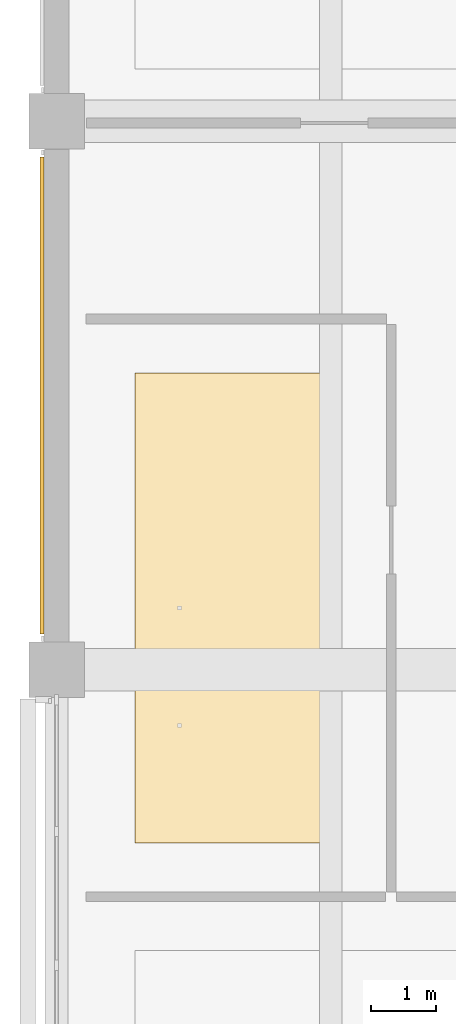
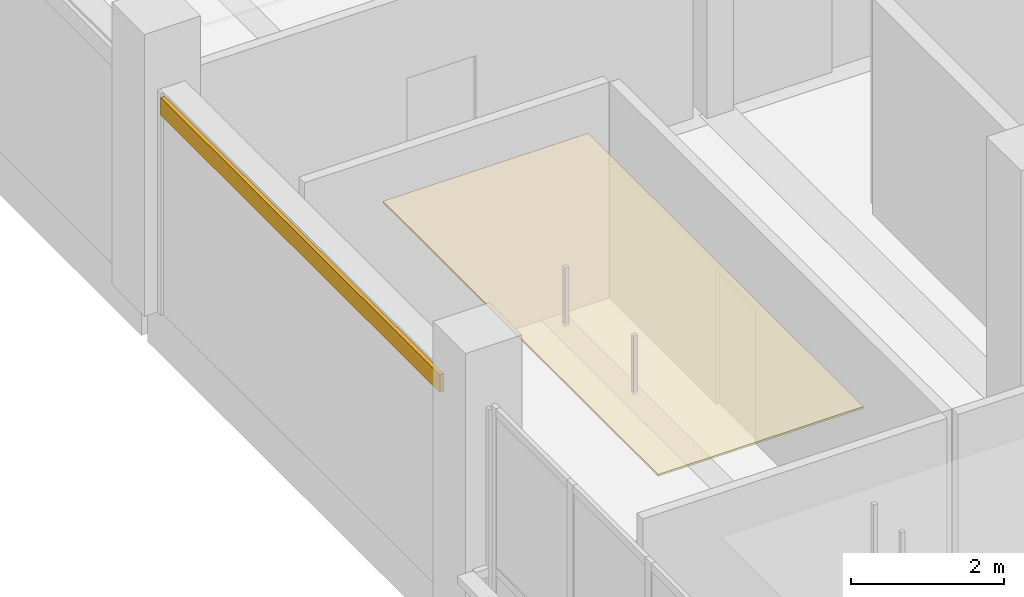
# One storey, part 24 of 36: 2 coverings.
"""IFC4 building model written with IfcOpenShell, lengths in metres."""

import ifcopenshell
import ifcopenshell.guid

model = None  # the IFC model being written
_history = None  # IfcOwnerHistory: only IFC2X3 demands one
_inside = {}  # id of a spatial element -> (the spatial element, [elements in it])
_under = {}  # id of a project, library or spatial element -> (it, [spatial elements below it])
_declared = {}  # id of a project -> (the project, [libraries it declares])
_typed = {}  # id of a type object -> (the type object, [elements of that type])
_made_of = {}  # id of a material, layer set ... -> (it, [elements and type objects made of it])


def new_model(schema):
    """Start an empty IFC model of exactly this schema.

    Asked for "IFC4X3", IfcOpenShell would pick the latest addendum, in which some entities
    have other attributes; the version numbers below select the first issue.
    IFC2X3 requires an IfcOwnerHistory on every rooted entity: one is made here for all.
    """
    global model, _history
    if schema == "IFC4X3":
        model = ifcopenshell.file(schema_version=(4, 3, 0, 0))
    else:
        model = ifcopenshell.file(schema=schema)
    _inside.clear()
    _under.clear()
    _declared.clear()
    _typed.clear()
    _made_of.clear()
    _history = None
    if model.schema == "IFC2X3":
        org = make("IfcOrganization", Name="unknown")
        user = make(
            "IfcPersonAndOrganization",
            ThePerson=make("IfcPerson", FamilyName="unknown"),
            TheOrganization=org,
        )
        app = make(
            "IfcApplication",
            ApplicationDeveloper=org,
            Version="unknown",
            ApplicationFullName="unknown",
            ApplicationIdentifier="unknown",
        )
        _history = make(
            "IfcOwnerHistory",
            OwningUser=user,
            OwningApplication=app,
            ChangeAction="ADDED",
            CreationDate=0,
        )
    return model


def make(cls, **values):
    """One entity of the class cls with the attributes given. An attribute that is None is left unset."""
    return model.create_entity(
        cls, **{name: value for name, value in values.items() if value is not None}
    )


def rooted(cls, **values):
    """An entity with a GlobalId (a new one), such as an element, a storey or a relation."""
    return make(cls, GlobalId=ifcopenshell.guid.new(), OwnerHistory=_history, **values)


def si_unit(unit_type, name, prefix=None):
    """IfcSIUnit, for example si_unit("LENGTHUNIT", "METRE", prefix="MILLI")."""
    return make("IfcSIUnit", UnitType=unit_type, Prefix=prefix, Name=name)


def assignment(units):
    """IfcUnitAssignment: the units of a project."""
    return None if units is None else make("IfcUnitAssignment", Units=units)


def point(xyz):
    """IfcCartesianPoint."""
    return None if xyz is None else make("IfcCartesianPoint", Coordinates=xyz)


def direction(xyz):
    """IfcDirection."""
    return None if xyz is None else make("IfcDirection", DirectionRatios=xyz)


def frame(location, z_axis=None, x_axis=None):
    """IfcAxis2Placement3D, a coordinate frame: its origin and axes. An axis left out is left unset."""
    return make(
        "IfcAxis2Placement3D",
        Location=point(location),
        Axis=direction(z_axis),
        RefDirection=direction(x_axis),
    )


def frame_2d(location, x_axis=None):
    """IfcAxis2Placement2D, a coordinate frame in the plane: its origin and x axis."""
    return make(
        "IfcAxis2Placement2D", Location=point(location), RefDirection=direction(x_axis)
    )


def origin():
    """The frame at (0, 0, 0) with its axes left unset."""
    return frame((0.0, 0.0, 0.0))


def origin_2d():
    """The frame at (0, 0) in the plane with its x axis left unset."""
    return frame_2d((0.0, 0.0))


def place(relative_to, where):
    """IfcLocalPlacement: puts the frame where relative to a parent placement (None: the world)."""
    return make(
        "IfcLocalPlacement", PlacementRelTo=relative_to, RelativePlacement=where
    )


def context(
    kind, dimensions, precision=None, world=None, true_north=None, identifier=None
):
    """IfcGeometricRepresentationContext, for example the 3D "Model" context."""
    return make(
        "IfcGeometricRepresentationContext",
        ContextIdentifier=identifier,
        ContextType=kind,
        CoordinateSpaceDimension=dimensions,
        Precision=precision,
        WorldCoordinateSystem=world,
        TrueNorth=true_north,
    )


def subcontext(parent, identifier, kind, view, scale=None):
    """IfcGeometricRepresentationSubContext, for example "Body" below "Model"."""
    return make(
        "IfcGeometricRepresentationSubContext",
        ContextIdentifier=identifier,
        ContextType=kind,
        ParentContext=parent,
        TargetScale=scale,
        TargetView=view,
    )


def project(units=None, contexts=None):
    """IfcProject with its units and contexts."""
    return rooted(
        "IfcProject",
        Name="project",
        RepresentationContexts=contexts,
        UnitsInContext=assignment(units),
    )


def spatial(cls, under=None, at=None, **own):
    """A site, building, storey or space (cls), placed at a placement, below another one or the project."""
    s = rooted(cls, ObjectPlacement=at, **own)
    if under is not None:
        _under.setdefault(under.id(), (under, []))[1].append(s)
    return s


def polyline(points):
    """IfcPolyline through the points."""
    return make("IfcPolyline", Points=[point(p) for p in points])


def profile(cls, at=None, kind="AREA", **sizes):
    """A parametric profile (cls). Its sizes go by their IFC names, for example OverallWidth=200.0."""
    return make(cls, ProfileType=kind, Position=at, **sizes)


def rectangle(**sizes):
    """IfcRectangleProfileDef."""
    return profile("IfcRectangleProfileDef", **sizes)


def outline(outer, holes=None, kind="AREA"):
    """IfcArbitraryClosedProfileDef: a profile drawn as a closed curve; with holes, ...WithVoids."""
    if holes is None:
        return make("IfcArbitraryClosedProfileDef", ProfileType=kind, OuterCurve=outer)
    return make(
        "IfcArbitraryProfileDefWithVoids",
        ProfileType=kind,
        OuterCurve=outer,
        InnerCurves=holes,
    )


def extrude(swept, where, along, depth):
    """IfcExtrudedAreaSolid: the profile swept, set in the frame where, extruded along a direction by depth."""
    return make(
        "IfcExtrudedAreaSolid",
        SweptArea=swept,
        Position=where,
        ExtrudedDirection=direction(along),
        Depth=depth,
    )


def shape(context_of_items, identifier, shape_type, items):
    """IfcShapeRepresentation: the items that make up one representation, for example the "Body"."""
    return make(
        "IfcShapeRepresentation",
        ContextOfItems=context_of_items,
        RepresentationIdentifier=identifier,
        RepresentationType=shape_type,
        Items=items,
    )


def material(Name=None, Category=None):
    """IfcMaterial."""
    return make("IfcMaterial", Name=Name, Category=Category)


def layer(
    of_material, thickness, ventilated=None, Name=None, Category=None, Priority=None
):
    """IfcMaterialLayer: one layer of a wall or slab, of a material (None: an air gap)."""
    return make(
        "IfcMaterialLayer",
        Material=of_material,
        LayerThickness=thickness,
        IsVentilated=ventilated,
        Name=Name,
        Category=Category,
        Priority=Priority,
    )


def layer_set(layers, Name=None):
    """IfcMaterialLayerSet."""
    return make("IfcMaterialLayerSet", MaterialLayers=layers, LayerSetName=Name)


def made_of(thing, what):
    """Note that an element or type object is made of a material, layer set ...; save() writes the relation."""
    if what is not None:
        _made_of.setdefault(what.id(), (what, []))[1].append(thing)
    return thing


def type_object(cls, material=None, **own):
    """A type object (cls), such as IfcWallType, which elements share."""
    return made_of(rooted(cls, **own), material)


def element(
    cls,
    number,
    at=None,
    inside=None,
    cuts=None,
    type_object=None,
    material=None,
    context=None,
    identifier="Body",
    shape_type=None,
    held_by="IfcProductDefinitionShape",
    body=None,
    shapes=None,
    **own,
):
    """One element of the class cls, such as IfcWall. Its Tag is "e" and its number.

    at: its placement. inside: the storey or other place that contains it. cuts: it is an
    opening in that element (IfcRelVoidsElement). A single representation is given by context,
    identifier, shape_type and body (its items); several are given by shapes. held_by: the class
    of the entity that holds the representations. save() writes the other relations.
    """
    e = rooted(cls, Tag="e%d" % number, ObjectPlacement=at, **own)
    if body is not None:
        shapes = [shape(context, identifier, shape_type, body)]
    if shapes is not None:
        e.Representation = make(held_by, Representations=shapes)
    if inside is not None:
        _inside.setdefault(inside.id(), (inside, []))[1].append(e)
    if cuts is not None:
        rooted(
            "IfcRelVoidsElement", RelatingBuildingElement=cuts, RelatedOpeningElement=e
        )
    if type_object is not None:
        _typed.setdefault(type_object.id(), (type_object, []))[1].append(e)
    return made_of(e, material)


def aggregate(whole, parts):
    """IfcRelAggregates: a whole, such as a stair, and the parts it consists of."""
    return rooted("IfcRelAggregates", RelatingObject=whole, RelatedObjects=parts)


def save(model, path):
    """Write the relations noted so far, then the file.

    IfcRelAggregates (storeys below a building ...), IfcRelContainedInSpatialStructure (elements
    in a storey), IfcRelDefinesByType, IfcRelAssociatesMaterial and IfcRelDeclares: one each for
    every whole, place, type object, material and project.
    """
    for whole, parts in _under.values():
        aggregate(whole, parts)
    for where, things in _inside.values():
        rooted(
            "IfcRelContainedInSpatialStructure",
            RelatedElements=things,
            RelatingStructure=where,
        )
    for kind, things in _typed.values():
        rooted("IfcRelDefinesByType", RelatedObjects=things, RelatingType=kind)
    for what, things in _made_of.values():
        rooted("IfcRelAssociatesMaterial", RelatedObjects=things, RelatingMaterial=what)
    for by, libraries in _declared.values():
        rooted("IfcRelDeclares", RelatingContext=by, RelatedDefinitions=libraries)
    model.write(path)


model = new_model("IFC4")

# Units and contexts
model_context = context("Model", 3, precision=1e-05, world=origin(), true_north=direction((0.0, 1.0)))
body_context = subcontext(model_context, "Body", "Model", "MODEL_VIEW")
ifc_project = project(units=[si_unit("LENGTHUNIT", "METRE"), si_unit("AREAUNIT", "SQUARE_METRE"), si_unit("VOLUMEUNIT", "CUBIC_METRE"), si_unit("PLANEANGLEUNIT", "RADIAN"), si_unit("MASSUNIT", "GRAM", prefix="KILO")], contexts=[model_context])

# Site, building, storey
site_placement = place(None, origin())
site = spatial("IfcSite", under=ifc_project, at=site_placement, CompositionType="ELEMENT")
building_placement = place(site_placement, origin())
building = spatial("IfcBuilding", under=site, at=building_placement, Name="Telukmera Botanical Conservatory", CompositionType="ELEMENT")
storey_placement = place(building_placement, frame((0.0, 0.0, 24.0)))
storey = spatial("IfcBuildingStorey", under=building, at=storey_placement, Name="L05", CompositionType="ELEMENT", Elevation=24.0)

# Coverings
ifc_material_1 = material(Name="Mineral fibre acoustic ceiling")
ifc_layer_1 = layer(ifc_material_1, 0.030029296875)
ifc_layer_set_1 = layer_set([ifc_layer_1], Name="Mineral fibre acoustic ceiling")
covering_type_1 = type_object("IfcCoveringType", Name="COV-CEIL-30", PredefinedType="CEILING", material=ifc_layer_set_1)
covering_1_placement = place(storey_placement, frame((0.0, 0.0, 3.320068359375)))
element("IfcCovering", 1, at=covering_1_placement, inside=storey, type_object=covering_type_1, Name="L05 West Herbarium Curation Studio Suspended Acoustic Ceiling", PredefinedType="CEILING", context=body_context, shape_type="SweptSolid", body=[
    extrude(outline(polyline([(51.60009765625, 14.949951171875), (54.699951171875, 14.949951171875), (54.699951171875, 22.14990234375), (51.60009765625, 22.14990234375), (51.60009765625, 14.949951171875)])), origin(), (0.0, 0.0, 1.0), 0.030029296875),
])
ifc_material_2 = material(Name="Terracotta-faced precast concrete C40/50", Category="masonry")
ifc_layer_2 = layer(ifc_material_2, 0.06005859375)
ifc_layer_set_2 = layer_set([ifc_layer_2], Name="Terracotta-faced precast concrete C40/50")
covering_type_2 = type_object("IfcCoveringType", Name="Polychrome Terracotta Facade Band Cladding", PredefinedType="CLADDING", material=ifc_layer_set_2)
covering_2_placement = place(storey_placement, frame((50.179931640625, 21.800048828125, 3.22998046875), z_axis=(0.0, 0.0, 1.0), x_axis=(0.0, 1.0, 0.0)))
element("IfcCovering", 2, at=covering_2_placement, inside=storey, type_object=covering_type_2, Name="Polychrome Terracotta Band V4:L05:W2", PredefinedType="CLADDING", context=body_context, shape_type="SweptSolid", body=[
    extrude(rectangle(XDim=7.305908203125, YDim=0.06005859375, at=origin_2d()), origin(), (0.0, 0.0, 1.0), 0.280029296875),
])

save(model, "model.ifc")
